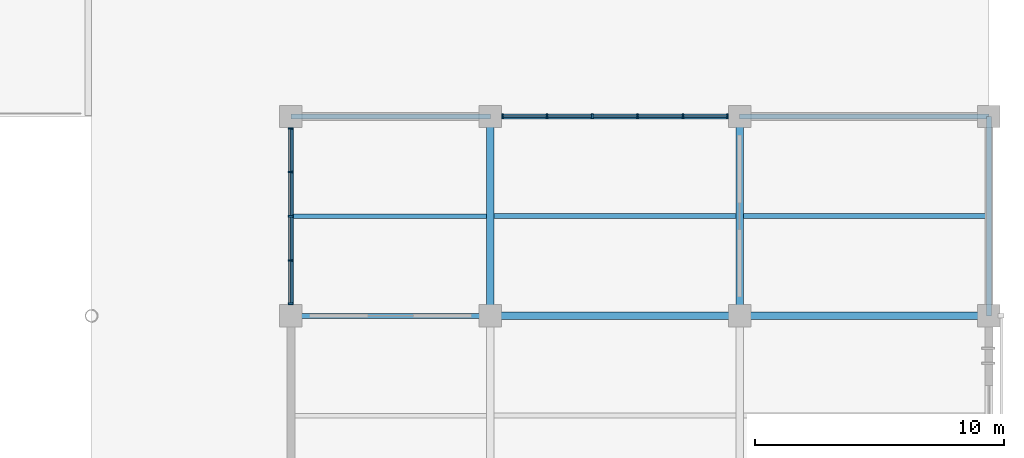
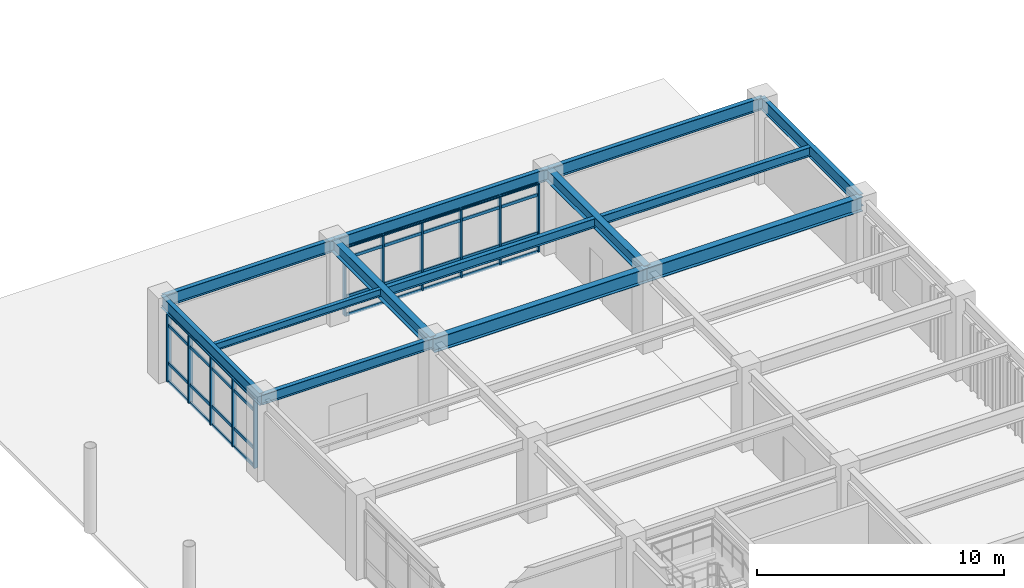
# One storey, part 63 of 118: 47 members, 13 beams, 2 elements without a shape of their own.
"""IFC4 building model written with IfcOpenShell, lengths in metres."""

from ifc_helpers import new_model, si_unit, direction, frame, origin, origin_2d, place, context, subcontext, project, spatial, rectangle, i_section, extrude, material, layer, layer_set, material_profile, profile_set, type_object, element, aggregate, save


model = new_model("IFC4")

# Units and contexts
model_context = context("Model", 3, precision=1e-05, world=origin(), true_north=direction((0.0, 1.0)))
body_context = subcontext(model_context, "Body", "Model", "MODEL_VIEW")
ifc_project = project(units=[si_unit("LENGTHUNIT", "METRE"), si_unit("AREAUNIT", "SQUARE_METRE"), si_unit("VOLUMEUNIT", "CUBIC_METRE"), si_unit("PLANEANGLEUNIT", "RADIAN"), si_unit("MASSUNIT", "GRAM", prefix="KILO")], contexts=[model_context])

# Site, building, storey
site_placement = place(None, origin())
site = spatial("IfcSite", under=ifc_project, at=site_placement, CompositionType="ELEMENT")
building_placement = place(site_placement, origin())
building = spatial("IfcBuilding", under=site, at=building_placement, Name="Haebicheon Civic Stadium", CompositionType="ELEMENT")
storey_placement = place(building_placement, frame((0.0, 0.0, 14.39990234375)))
storey = spatial("IfcBuildingStorey", under=building, at=storey_placement, Name="L04", CompositionType="ELEMENT", Elevation=14.39990234375)

# Beams
ifc_material_1 = material(Name="Steel SM355 (S355)", Category="steel")
ifc_material_profile_1 = material_profile(ifc_material_1, i_section(OverallWidth=0.199951171875, OverallDepth=0.5, WebThickness=0.010009765625, FlangeThickness=0.01611328125, at=origin_2d()), Name="H-500x200x10x16")
ifc_profile_set_1 = profile_set([ifc_material_profile_1], Name="Steel SM355 (S355)")
beam_type_1 = type_object("IfcBeamType", Name="BM-ST-H500", PredefinedType="BEAM", material=ifc_profile_set_1)
beam_1_placement = place(storey_placement, frame((208.0, 128.0, 3.690185546875), z_axis=(1.0, 0.0, 0.0), x_axis=(0.0, 1.0, 0.0)))
element("IfcBeam", 1, at=beam_1_placement, inside=storey, type_object=beam_type_1, material=ifc_profile_set_1, Name="L04 beam S/27-28", PredefinedType="BEAM", context=body_context, shape_type="SweptSolid", body=[
    extrude(i_section(OverallWidth=0.199951171875, OverallDepth=0.5, WebThickness=0.010009765625, FlangeThickness=0.01611328125, at=origin_2d()), origin(), (0.0, 0.0, 1.0), 8.0),
])
ifc_material_2 = material(Name="Steel SM355 (S355)", Category="steel")
ifc_material_profile_2 = material_profile(ifc_material_2, i_section(OverallWidth=0.300048828125, OverallDepth=0.60009765625, WebThickness=0.011962890625, FlangeThickness=0.02001953125, at=origin_2d()), Name="H-600x300x12x20")
ifc_profile_set_2 = profile_set([ifc_material_profile_2], Name="Steel SM355 (S355)")
beam_type_2 = type_object("IfcBeamType", Name="BM-ST-H600A", PredefinedType="BEAM", material=ifc_profile_set_2)
for number, where, z_axis, x_axis, name in (
    (2, (216.0, 128.0, 3.68017578125), (0.0, 1.0, 0.0), (-1.0, 0.0, 0.0), "L04 girder 28/S-T"),
    (3, (226.0, 128.0, 3.68017578125), (0.0, 1.0, 0.0), (-1.0, 0.0, 0.0), "L04 girder 29/S-T"),
):
    element("IfcBeam", number, at=place(storey_placement, frame(where, z_axis=z_axis, x_axis=x_axis)), inside=storey, type_object=beam_type_2, material=ifc_profile_set_2, Name=name, PredefinedType="BEAM", context=body_context, shape_type="SweptSolid", body=[
        extrude(i_section(OverallWidth=0.300048828125, OverallDepth=0.60009765625, WebThickness=0.011962890625, FlangeThickness=0.02001953125, at=origin_2d()), origin(), (0.0, 0.0, 1.0), 8.0),
    ])
ifc_material_3 = material(Name="Steel SM490", Category="steel")
ifc_material_profile_3 = material_profile(ifc_material_3, i_section(OverallWidth=0.300048828125, OverallDepth=0.699951171875, WebThickness=0.012939453125, FlangeThickness=0.02392578125, at=origin_2d()), Name="H-700x300x13x24")
ifc_profile_set_3 = profile_set([ifc_material_profile_3], Name="Steel SM490")
beam_type_3 = type_object("IfcBeamType", Name="BM-ST-H700", PredefinedType="BEAM", material=ifc_profile_set_3)
for number, where, z_axis, x_axis, name in (
    (4, (216.0, 128.0, 3.590087890625), (1.0, 0.0, 0.0), (0.0, 1.0, 0.0), "L04 beam S/28-29"),
    (5, (226.0, 128.0, 3.590087890625), (1.0, 0.0, 0.0), (0.0, 1.0, 0.0), "L04 beam S/29-30"),
):
    element("IfcBeam", number, at=place(storey_placement, frame(where, z_axis=z_axis, x_axis=x_axis)), inside=storey, type_object=beam_type_3, material=ifc_profile_set_3, Name=name, PredefinedType="BEAM", context=body_context, shape_type="SweptSolid", body=[
        extrude(i_section(OverallWidth=0.300048828125, OverallDepth=0.699951171875, WebThickness=0.012939453125, FlangeThickness=0.02392578125, at=origin_2d()), origin(), (0.0, 0.0, 1.0), 10.0),
    ])

# Curtain wall, members
ifc_material_4 = material(Name="Anodised aluminium and laminated glass", Category="aluminium")
ifc_layer_1 = layer(ifc_material_4, 0.179931640625, Name="Anodised aluminium and laminated glass")
ifc_layer_set_1 = layer_set([ifc_layer_1], Name="Anodised aluminium and laminated glass")
curtain_wall_type_1 = type_object("IfcCurtainWallType", Name="CW-7100x3330", PredefinedType="NOTDEFINED", material=ifc_layer_set_1)
curtain_wall_1_placement = place(storey_placement, origin())
curtain_wall_1 = element("IfcCurtainWall", 6, at=curtain_wall_1_placement, inside=storey, type_object=curtain_wall_type_1, material=ifc_layer_set_1, Name="L04 unitised curtain wall 174", PredefinedType="NOTDEFINED")
ifc_material_5 = material(Name="Anodised aluminium 6063-T6", Category="aluminium")
ifc_material_profile_4 = material_profile(ifc_material_5, rectangle(XDim=0.070068359375, YDim=0.199951171875, at=origin_2d()), Name="ALU-MULL-70x200")
ifc_profile_set_4 = profile_set([ifc_material_profile_4], Name="Anodised aluminium 6063-T6")
member_type_1 = type_object("IfcMemberType", Name="CWM-200x70", PredefinedType="MULLION", material=ifc_profile_set_4)
member_1_placement = place(storey_placement, frame((208.0, 128.485107421875, 0.0), z_axis=(0.0, 0.0, 1.0), x_axis=(0.0, 1.0, 0.0)))
member_1 = element("IfcMember", 7, at=member_1_placement, type_object=member_type_1, material=ifc_profile_set_4, Name="CW-L04-174 vertical mullion 1", PredefinedType="MULLION", context=body_context, shape_type="SweptSolid", body=[
    extrude(rectangle(XDim=0.070068359375, YDim=0.199951171875, at=origin_2d()), origin(), (0.0, 0.0, 1.0), 3.330078125),
])
member_2_placement = place(storey_placement, frame((208.0, 130.22509765625, 0.0), z_axis=(0.0, 0.0, 1.0), x_axis=(0.0, 1.0, 0.0)))
member_2 = element("IfcMember", 8, at=member_2_placement, type_object=member_type_1, material=ifc_profile_set_4, Name="CW-L04-174 vertical mullion 2", PredefinedType="MULLION", context=body_context, shape_type="SweptSolid", body=[
    extrude(rectangle(XDim=0.070068359375, YDim=0.199951171875, at=origin_2d()), origin(), (0.0, 0.0, 1.0), 3.330078125),
])
member_3_placement = place(storey_placement, frame((208.0, 132.0, 0.0), z_axis=(0.0, 0.0, 1.0), x_axis=(0.0, 1.0, 0.0)))
member_3 = element("IfcMember", 9, at=member_3_placement, type_object=member_type_1, material=ifc_profile_set_4, Name="CW-L04-174 vertical mullion 3", PredefinedType="MULLION", context=body_context, shape_type="SweptSolid", body=[
    extrude(rectangle(XDim=0.070068359375, YDim=0.199951171875, at=origin_2d()), origin(), (0.0, 0.0, 1.0), 3.330078125),
])
member_4_placement = place(storey_placement, frame((208.0, 133.77490234375, 0.0), z_axis=(0.0, 0.0, 1.0), x_axis=(0.0, 1.0, 0.0)))
member_4 = element("IfcMember", 10, at=member_4_placement, type_object=member_type_1, material=ifc_profile_set_4, Name="CW-L04-174 vertical mullion 4", PredefinedType="MULLION", context=body_context, shape_type="SweptSolid", body=[
    extrude(rectangle(XDim=0.070068359375, YDim=0.199951171875, at=origin_2d()), origin(), (0.0, 0.0, 1.0), 3.330078125),
])
member_5_placement = place(storey_placement, frame((208.0, 135.514892578125, 0.0), z_axis=(0.0, 0.0, 1.0), x_axis=(0.0, 1.0, 0.0)))
member_5 = element("IfcMember", 11, at=member_5_placement, type_object=member_type_1, material=ifc_profile_set_4, Name="CW-L04-174 vertical mullion 5", PredefinedType="MULLION", context=body_context, shape_type="SweptSolid", body=[
    extrude(rectangle(XDim=0.070068359375, YDim=0.199951171875, at=origin_2d()), origin(), (0.0, 0.0, 1.0), 3.330078125),
])

ifc_material_6 = material(Name="Anodised aluminium and laminated glass", Category="aluminium")
ifc_layer_2 = layer(ifc_material_6, 0.179931640625, Name="Anodised aluminium and laminated glass")
ifc_layer_set_2 = layer_set([ifc_layer_2], Name="Anodised aluminium and laminated glass")
curtain_wall_type_2 = type_object("IfcCurtainWallType", Name="CW-9100x3350", PredefinedType="NOTDEFINED", material=ifc_layer_set_2)
curtain_wall_2_placement = place(storey_placement, origin())
curtain_wall_2 = element("IfcCurtainWall", 12, at=curtain_wall_2_placement, inside=storey, type_object=curtain_wall_type_2, material=ifc_layer_set_2, Name="L04 unitised curtain wall 176", PredefinedType="NOTDEFINED")
member_6_placement = place(storey_placement, frame((216.485107421875, 136.0, 0.0), z_axis=(0.0, 0.0, 1.0), x_axis=(1.0, 0.0, 0.0)))
member_6 = element("IfcMember", 13, at=member_6_placement, type_object=member_type_1, material=ifc_profile_set_4, Name="CW-L04-176 vertical mullion 1", PredefinedType="MULLION", context=body_context, shape_type="SweptSolid", body=[
    extrude(rectangle(XDim=0.070068359375, YDim=0.199951171875, at=origin_2d()), origin(), (0.0, 0.0, 1.0), 3.35009765625),
])
member_7_placement = place(storey_placement, frame((218.27001953125, 136.0, 0.0), z_axis=(0.0, 0.0, 1.0), x_axis=(1.0, 0.0, 0.0)))
member_7 = element("IfcMember", 14, at=member_7_placement, type_object=member_type_1, material=ifc_profile_set_4, Name="CW-L04-176 vertical mullion 2", PredefinedType="MULLION", context=body_context, shape_type="SweptSolid", body=[
    extrude(rectangle(XDim=0.070068359375, YDim=0.199951171875, at=origin_2d()), origin(), (0.0, 0.0, 1.0), 3.35009765625),
])
member_8_placement = place(storey_placement, frame((220.090087890625, 136.0, 0.0), z_axis=(0.0, 0.0, 1.0), x_axis=(1.0, 0.0, 0.0)))
member_8 = element("IfcMember", 15, at=member_8_placement, type_object=member_type_1, material=ifc_profile_set_4, Name="CW-L04-176 vertical mullion 3", PredefinedType="MULLION", context=body_context, shape_type="SweptSolid", body=[
    extrude(rectangle(XDim=0.070068359375, YDim=0.199951171875, at=origin_2d()), origin(), (0.0, 0.0, 1.0), 3.35009765625),
])
member_9_placement = place(storey_placement, frame((221.909912109375, 136.0, 0.0), z_axis=(0.0, 0.0, 1.0), x_axis=(1.0, 0.0, 0.0)))
member_9 = element("IfcMember", 16, at=member_9_placement, type_object=member_type_1, material=ifc_profile_set_4, Name="CW-L04-176 vertical mullion 4", PredefinedType="MULLION", context=body_context, shape_type="SweptSolid", body=[
    extrude(rectangle(XDim=0.070068359375, YDim=0.199951171875, at=origin_2d()), origin(), (0.0, 0.0, 1.0), 3.35009765625),
])
member_10_placement = place(storey_placement, frame((223.72998046875, 136.0, 0.0), z_axis=(0.0, 0.0, 1.0), x_axis=(1.0, 0.0, 0.0)))
member_10 = element("IfcMember", 17, at=member_10_placement, type_object=member_type_1, material=ifc_profile_set_4, Name="CW-L04-176 vertical mullion 5", PredefinedType="MULLION", context=body_context, shape_type="SweptSolid", body=[
    extrude(rectangle(XDim=0.070068359375, YDim=0.199951171875, at=origin_2d()), origin(), (0.0, 0.0, 1.0), 3.35009765625),
])
member_11_placement = place(storey_placement, frame((225.514892578125, 136.0, 0.0), z_axis=(0.0, 0.0, 1.0), x_axis=(1.0, 0.0, 0.0)))
member_11 = element("IfcMember", 18, at=member_11_placement, type_object=member_type_1, material=ifc_profile_set_4, Name="CW-L04-176 vertical mullion 6", PredefinedType="MULLION", context=body_context, shape_type="SweptSolid", body=[
    extrude(rectangle(XDim=0.070068359375, YDim=0.199951171875, at=origin_2d()), origin(), (0.0, 0.0, 1.0), 3.35009765625),
])

# Member
ifc_material_7 = material(Name="Anodised aluminium 6063-T6", Category="aluminium")
ifc_material_profile_5 = material_profile(ifc_material_7, rectangle(XDim=0.070068359375, YDim=0.14990234375, at=origin_2d()), Name="ALU-TRAN-70x150")
ifc_profile_set_5 = profile_set([ifc_material_profile_5], Name="Anodised aluminium 6063-T6")
member_type_2 = type_object("IfcMemberType", Name="CWT-150x70", PredefinedType="NOTDEFINED", material=ifc_profile_set_5)
member_12_placement = place(storey_placement, frame((208.0, 128.52001953125, 0.0), z_axis=(0.0, 1.0, 0.0), x_axis=(-1.0, 0.0, 0.0)))
member_12 = element("IfcMember", 19, at=member_12_placement, type_object=member_type_2, material=ifc_profile_set_5, Name="CW-L04-174 horizontal transom 1.1", ObjectType="TRANSOM", PredefinedType="USERDEFINED", context=body_context, shape_type="SweptSolid", body=[
    extrude(rectangle(XDim=0.070068359375, YDim=0.14990234375, at=origin_2d()), origin(), (0.0, 0.0, 1.0), 1.669921875),
])

member_13_placement = place(storey_placement, frame((208.0, 128.52001953125, 0.900146484375), z_axis=(0.0, 1.0, 0.0), x_axis=(-1.0, 0.0, 0.0)))
member_13 = element("IfcMember", 20, at=member_13_placement, type_object=member_type_2, material=ifc_profile_set_5, Name="CW-L04-174 horizontal transom 1.2", ObjectType="TRANSOM", PredefinedType="USERDEFINED", context=body_context, shape_type="SweptSolid", body=[
    extrude(rectangle(XDim=0.070068359375, YDim=0.14990234375, at=origin_2d()), origin(), (0.0, 0.0, 1.0), 1.669921875),
])

member_14_placement = place(storey_placement, frame((208.0, 128.52001953125, 2.780029296875), z_axis=(0.0, 1.0, 0.0), x_axis=(-1.0, 0.0, 0.0)))
member_14 = element("IfcMember", 21, at=member_14_placement, type_object=member_type_2, material=ifc_profile_set_5, Name="CW-L04-174 horizontal transom 1.3", ObjectType="TRANSOM", PredefinedType="USERDEFINED", context=body_context, shape_type="SweptSolid", body=[
    extrude(rectangle(XDim=0.070068359375, YDim=0.14990234375, at=origin_2d()), origin(), (0.0, 0.0, 1.0), 1.669921875),
])

member_15_placement = place(storey_placement, frame((208.0, 128.52001953125, 3.330078125), z_axis=(0.0, 1.0, 0.0), x_axis=(-1.0, 0.0, 0.0)))
member_15 = element("IfcMember", 22, at=member_15_placement, type_object=member_type_2, material=ifc_profile_set_5, Name="CW-L04-174 horizontal transom 1.4", ObjectType="TRANSOM", PredefinedType="USERDEFINED", context=body_context, shape_type="SweptSolid", body=[
    extrude(rectangle(XDim=0.070068359375, YDim=0.14990234375, at=origin_2d()), origin(), (0.0, 0.0, 1.0), 1.669921875),
])

member_16_placement = place(storey_placement, frame((208.0, 130.260009765625, 0.0), z_axis=(0.0, 1.0, 0.0), x_axis=(-1.0, 0.0, 0.0)))
member_16 = element("IfcMember", 23, at=member_16_placement, type_object=member_type_2, material=ifc_profile_set_5, Name="CW-L04-174 horizontal transom 2.1", ObjectType="TRANSOM", PredefinedType="USERDEFINED", context=body_context, shape_type="SweptSolid", body=[
    extrude(rectangle(XDim=0.070068359375, YDim=0.14990234375, at=origin_2d()), origin(), (0.0, 0.0, 1.0), 1.705078125),
])

member_17_placement = place(storey_placement, frame((208.0, 130.260009765625, 0.900146484375), z_axis=(0.0, 1.0, 0.0), x_axis=(-1.0, 0.0, 0.0)))
member_17 = element("IfcMember", 24, at=member_17_placement, type_object=member_type_2, material=ifc_profile_set_5, Name="CW-L04-174 horizontal transom 2.2", ObjectType="TRANSOM", PredefinedType="USERDEFINED", context=body_context, shape_type="SweptSolid", body=[
    extrude(rectangle(XDim=0.070068359375, YDim=0.14990234375, at=origin_2d()), origin(), (0.0, 0.0, 1.0), 1.705078125),
])

member_18_placement = place(storey_placement, frame((208.0, 130.260009765625, 2.780029296875), z_axis=(0.0, 1.0, 0.0), x_axis=(-1.0, 0.0, 0.0)))
member_18 = element("IfcMember", 25, at=member_18_placement, type_object=member_type_2, material=ifc_profile_set_5, Name="CW-L04-174 horizontal transom 2.3", ObjectType="TRANSOM", PredefinedType="USERDEFINED", context=body_context, shape_type="SweptSolid", body=[
    extrude(rectangle(XDim=0.070068359375, YDim=0.14990234375, at=origin_2d()), origin(), (0.0, 0.0, 1.0), 1.705078125),
])

member_19_placement = place(storey_placement, frame((208.0, 130.260009765625, 3.330078125), z_axis=(0.0, 1.0, 0.0), x_axis=(-1.0, 0.0, 0.0)))
member_19 = element("IfcMember", 26, at=member_19_placement, type_object=member_type_2, material=ifc_profile_set_5, Name="CW-L04-174 horizontal transom 2.4", ObjectType="TRANSOM", PredefinedType="USERDEFINED", context=body_context, shape_type="SweptSolid", body=[
    extrude(rectangle(XDim=0.070068359375, YDim=0.14990234375, at=origin_2d()), origin(), (0.0, 0.0, 1.0), 1.705078125),
])

member_20_placement = place(storey_placement, frame((208.0, 132.034912109375, 0.0), z_axis=(0.0, 1.0, 0.0), x_axis=(-1.0, 0.0, 0.0)))
member_20 = element("IfcMember", 27, at=member_20_placement, type_object=member_type_2, material=ifc_profile_set_5, Name="CW-L04-174 horizontal transom 3.1", ObjectType="TRANSOM", PredefinedType="USERDEFINED", context=body_context, shape_type="SweptSolid", body=[
    extrude(rectangle(XDim=0.070068359375, YDim=0.14990234375, at=origin_2d()), origin(), (0.0, 0.0, 1.0), 1.705078125),
])

member_21_placement = place(storey_placement, frame((208.0, 132.034912109375, 0.900146484375), z_axis=(0.0, 1.0, 0.0), x_axis=(-1.0, 0.0, 0.0)))
member_21 = element("IfcMember", 28, at=member_21_placement, type_object=member_type_2, material=ifc_profile_set_5, Name="CW-L04-174 horizontal transom 3.2", ObjectType="TRANSOM", PredefinedType="USERDEFINED", context=body_context, shape_type="SweptSolid", body=[
    extrude(rectangle(XDim=0.070068359375, YDim=0.14990234375, at=origin_2d()), origin(), (0.0, 0.0, 1.0), 1.705078125),
])

member_22_placement = place(storey_placement, frame((208.0, 132.034912109375, 2.780029296875), z_axis=(0.0, 1.0, 0.0), x_axis=(-1.0, 0.0, 0.0)))
member_22 = element("IfcMember", 29, at=member_22_placement, type_object=member_type_2, material=ifc_profile_set_5, Name="CW-L04-174 horizontal transom 3.3", ObjectType="TRANSOM", PredefinedType="USERDEFINED", context=body_context, shape_type="SweptSolid", body=[
    extrude(rectangle(XDim=0.070068359375, YDim=0.14990234375, at=origin_2d()), origin(), (0.0, 0.0, 1.0), 1.705078125),
])

member_23_placement = place(storey_placement, frame((208.0, 132.034912109375, 3.330078125), z_axis=(0.0, 1.0, 0.0), x_axis=(-1.0, 0.0, 0.0)))
member_23 = element("IfcMember", 30, at=member_23_placement, type_object=member_type_2, material=ifc_profile_set_5, Name="CW-L04-174 horizontal transom 3.4", ObjectType="TRANSOM", PredefinedType="USERDEFINED", context=body_context, shape_type="SweptSolid", body=[
    extrude(rectangle(XDim=0.070068359375, YDim=0.14990234375, at=origin_2d()), origin(), (0.0, 0.0, 1.0), 1.705078125),
])

member_24_placement = place(storey_placement, frame((208.0, 133.81005859375, 0.0), z_axis=(0.0, 1.0, 0.0), x_axis=(-1.0, 0.0, 0.0)))
member_24 = element("IfcMember", 31, at=member_24_placement, type_object=member_type_2, material=ifc_profile_set_5, Name="CW-L04-174 horizontal transom 4.1", ObjectType="TRANSOM", PredefinedType="USERDEFINED", context=body_context, shape_type="SweptSolid", body=[
    extrude(rectangle(XDim=0.070068359375, YDim=0.14990234375, at=origin_2d()), origin(), (0.0, 0.0, 1.0), 1.669921875),
])

member_25_placement = place(storey_placement, frame((208.0, 133.81005859375, 0.900146484375), z_axis=(0.0, 1.0, 0.0), x_axis=(-1.0, 0.0, 0.0)))
member_25 = element("IfcMember", 32, at=member_25_placement, type_object=member_type_2, material=ifc_profile_set_5, Name="CW-L04-174 horizontal transom 4.2", ObjectType="TRANSOM", PredefinedType="USERDEFINED", context=body_context, shape_type="SweptSolid", body=[
    extrude(rectangle(XDim=0.070068359375, YDim=0.14990234375, at=origin_2d()), origin(), (0.0, 0.0, 1.0), 1.669921875),
])

member_26_placement = place(storey_placement, frame((208.0, 133.81005859375, 2.780029296875), z_axis=(0.0, 1.0, 0.0), x_axis=(-1.0, 0.0, 0.0)))
member_26 = element("IfcMember", 33, at=member_26_placement, type_object=member_type_2, material=ifc_profile_set_5, Name="CW-L04-174 horizontal transom 4.3", ObjectType="TRANSOM", PredefinedType="USERDEFINED", context=body_context, shape_type="SweptSolid", body=[
    extrude(rectangle(XDim=0.070068359375, YDim=0.14990234375, at=origin_2d()), origin(), (0.0, 0.0, 1.0), 1.669921875),
])

member_27_placement = place(storey_placement, frame((208.0, 133.81005859375, 3.330078125), z_axis=(0.0, 1.0, 0.0), x_axis=(-1.0, 0.0, 0.0)))
member_27 = element("IfcMember", 34, at=member_27_placement, type_object=member_type_2, material=ifc_profile_set_5, Name="CW-L04-174 horizontal transom 4.4", ObjectType="TRANSOM", PredefinedType="USERDEFINED", context=body_context, shape_type="SweptSolid", body=[
    extrude(rectangle(XDim=0.070068359375, YDim=0.14990234375, at=origin_2d()), origin(), (0.0, 0.0, 1.0), 1.669921875),
])

aggregate(curtain_wall_1, [member_1, member_2, member_3, member_4, member_5, member_12, member_13, member_14, member_15, member_16, member_17, member_18, member_19, member_20, member_21, member_22, member_23, member_24, member_25, member_26, member_27])

member_28_placement = place(storey_placement, frame((216.52001953125, 136.0, 0.0), z_axis=(1.0, 0.0, 0.0), x_axis=(0.0, 1.0, 0.0)))
member_28 = element("IfcMember", 35, at=member_28_placement, type_object=member_type_2, material=ifc_profile_set_5, Name="CW-L04-176 horizontal transom 1.1", ObjectType="TRANSOM", PredefinedType="USERDEFINED", context=body_context, shape_type="SweptSolid", body=[
    extrude(rectangle(XDim=0.070068359375, YDim=0.14990234375, at=origin_2d()), origin(), (0.0, 0.0, 1.0), 1.715087890625),
])

member_29_placement = place(storey_placement, frame((216.52001953125, 136.0, 0.900146484375), z_axis=(1.0, 0.0, 0.0), x_axis=(0.0, 1.0, 0.0)))
member_29 = element("IfcMember", 36, at=member_29_placement, type_object=member_type_2, material=ifc_profile_set_5, Name="CW-L04-176 horizontal transom 1.2", ObjectType="TRANSOM", PredefinedType="USERDEFINED", context=body_context, shape_type="SweptSolid", body=[
    extrude(rectangle(XDim=0.070068359375, YDim=0.14990234375, at=origin_2d()), origin(), (0.0, 0.0, 1.0), 1.715087890625),
])

member_30_placement = place(storey_placement, frame((216.52001953125, 136.0, 2.800048828125), z_axis=(1.0, 0.0, 0.0), x_axis=(0.0, 1.0, 0.0)))
member_30 = element("IfcMember", 37, at=member_30_placement, type_object=member_type_2, material=ifc_profile_set_5, Name="CW-L04-176 horizontal transom 1.3", ObjectType="TRANSOM", PredefinedType="USERDEFINED", context=body_context, shape_type="SweptSolid", body=[
    extrude(rectangle(XDim=0.070068359375, YDim=0.14990234375, at=origin_2d()), origin(), (0.0, 0.0, 1.0), 1.715087890625),
])

member_31_placement = place(storey_placement, frame((216.52001953125, 136.0, 3.35009765625), z_axis=(1.0, 0.0, 0.0), x_axis=(0.0, 1.0, 0.0)))
member_31 = element("IfcMember", 38, at=member_31_placement, type_object=member_type_2, material=ifc_profile_set_5, Name="CW-L04-176 horizontal transom 1.4", ObjectType="TRANSOM", PredefinedType="USERDEFINED", context=body_context, shape_type="SweptSolid", body=[
    extrude(rectangle(XDim=0.070068359375, YDim=0.14990234375, at=origin_2d()), origin(), (0.0, 0.0, 1.0), 1.715087890625),
])

member_32_placement = place(storey_placement, frame((218.304931640625, 136.0, 0.0), z_axis=(1.0, 0.0, 0.0), x_axis=(0.0, 1.0, 0.0)))
member_32 = element("IfcMember", 39, at=member_32_placement, type_object=member_type_2, material=ifc_profile_set_5, Name="CW-L04-176 horizontal transom 2.1", ObjectType="TRANSOM", PredefinedType="USERDEFINED", context=body_context, shape_type="SweptSolid", body=[
    extrude(rectangle(XDim=0.070068359375, YDim=0.14990234375, at=origin_2d()), origin(), (0.0, 0.0, 1.0), 1.75),
])

member_33_placement = place(storey_placement, frame((218.304931640625, 136.0, 0.900146484375), z_axis=(1.0, 0.0, 0.0), x_axis=(0.0, 1.0, 0.0)))
member_33 = element("IfcMember", 40, at=member_33_placement, type_object=member_type_2, material=ifc_profile_set_5, Name="CW-L04-176 horizontal transom 2.2", ObjectType="TRANSOM", PredefinedType="USERDEFINED", context=body_context, shape_type="SweptSolid", body=[
    extrude(rectangle(XDim=0.070068359375, YDim=0.14990234375, at=origin_2d()), origin(), (0.0, 0.0, 1.0), 1.75),
])

member_34_placement = place(storey_placement, frame((218.304931640625, 136.0, 2.800048828125), z_axis=(1.0, 0.0, 0.0), x_axis=(0.0, 1.0, 0.0)))
member_34 = element("IfcMember", 41, at=member_34_placement, type_object=member_type_2, material=ifc_profile_set_5, Name="CW-L04-176 horizontal transom 2.3", ObjectType="TRANSOM", PredefinedType="USERDEFINED", context=body_context, shape_type="SweptSolid", body=[
    extrude(rectangle(XDim=0.070068359375, YDim=0.14990234375, at=origin_2d()), origin(), (0.0, 0.0, 1.0), 1.75),
])

member_35_placement = place(storey_placement, frame((218.304931640625, 136.0, 3.35009765625), z_axis=(1.0, 0.0, 0.0), x_axis=(0.0, 1.0, 0.0)))
member_35 = element("IfcMember", 42, at=member_35_placement, type_object=member_type_2, material=ifc_profile_set_5, Name="CW-L04-176 horizontal transom 2.4", ObjectType="TRANSOM", PredefinedType="USERDEFINED", context=body_context, shape_type="SweptSolid", body=[
    extrude(rectangle(XDim=0.070068359375, YDim=0.14990234375, at=origin_2d()), origin(), (0.0, 0.0, 1.0), 1.75),
])

member_36_placement = place(storey_placement, frame((220.125, 136.0, 0.0), z_axis=(1.0, 0.0, 0.0), x_axis=(0.0, 1.0, 0.0)))
member_36 = element("IfcMember", 43, at=member_36_placement, type_object=member_type_2, material=ifc_profile_set_5, Name="CW-L04-176 horizontal transom 3.1", ObjectType="TRANSOM", PredefinedType="USERDEFINED", context=body_context, shape_type="SweptSolid", body=[
    extrude(rectangle(XDim=0.070068359375, YDim=0.14990234375, at=origin_2d()), origin(), (0.0, 0.0, 1.0), 1.75),
])

member_37_placement = place(storey_placement, frame((220.125, 136.0, 0.900146484375), z_axis=(1.0, 0.0, 0.0), x_axis=(0.0, 1.0, 0.0)))
member_37 = element("IfcMember", 44, at=member_37_placement, type_object=member_type_2, material=ifc_profile_set_5, Name="CW-L04-176 horizontal transom 3.2", ObjectType="TRANSOM", PredefinedType="USERDEFINED", context=body_context, shape_type="SweptSolid", body=[
    extrude(rectangle(XDim=0.070068359375, YDim=0.14990234375, at=origin_2d()), origin(), (0.0, 0.0, 1.0), 1.75),
])

member_38_placement = place(storey_placement, frame((220.125, 136.0, 2.800048828125), z_axis=(1.0, 0.0, 0.0), x_axis=(0.0, 1.0, 0.0)))
member_38 = element("IfcMember", 45, at=member_38_placement, type_object=member_type_2, material=ifc_profile_set_5, Name="CW-L04-176 horizontal transom 3.3", ObjectType="TRANSOM", PredefinedType="USERDEFINED", context=body_context, shape_type="SweptSolid", body=[
    extrude(rectangle(XDim=0.070068359375, YDim=0.14990234375, at=origin_2d()), origin(), (0.0, 0.0, 1.0), 1.75),
])

member_39_placement = place(storey_placement, frame((220.125, 136.0, 3.35009765625), z_axis=(1.0, 0.0, 0.0), x_axis=(0.0, 1.0, 0.0)))
member_39 = element("IfcMember", 46, at=member_39_placement, type_object=member_type_2, material=ifc_profile_set_5, Name="CW-L04-176 horizontal transom 3.4", ObjectType="TRANSOM", PredefinedType="USERDEFINED", context=body_context, shape_type="SweptSolid", body=[
    extrude(rectangle(XDim=0.070068359375, YDim=0.14990234375, at=origin_2d()), origin(), (0.0, 0.0, 1.0), 1.75),
])

member_40_placement = place(storey_placement, frame((221.945068359375, 136.0, 0.0), z_axis=(1.0, 0.0, 0.0), x_axis=(0.0, 1.0, 0.0)))
member_40 = element("IfcMember", 47, at=member_40_placement, type_object=member_type_2, material=ifc_profile_set_5, Name="CW-L04-176 horizontal transom 4.1", ObjectType="TRANSOM", PredefinedType="USERDEFINED", context=body_context, shape_type="SweptSolid", body=[
    extrude(rectangle(XDim=0.070068359375, YDim=0.14990234375, at=origin_2d()), origin(), (0.0, 0.0, 1.0), 1.75),
])

member_41_placement = place(storey_placement, frame((221.945068359375, 136.0, 0.900146484375), z_axis=(1.0, 0.0, 0.0), x_axis=(0.0, 1.0, 0.0)))
member_41 = element("IfcMember", 48, at=member_41_placement, type_object=member_type_2, material=ifc_profile_set_5, Name="CW-L04-176 horizontal transom 4.2", ObjectType="TRANSOM", PredefinedType="USERDEFINED", context=body_context, shape_type="SweptSolid", body=[
    extrude(rectangle(XDim=0.070068359375, YDim=0.14990234375, at=origin_2d()), origin(), (0.0, 0.0, 1.0), 1.75),
])

member_42_placement = place(storey_placement, frame((221.945068359375, 136.0, 2.800048828125), z_axis=(1.0, 0.0, 0.0), x_axis=(0.0, 1.0, 0.0)))
member_42 = element("IfcMember", 49, at=member_42_placement, type_object=member_type_2, material=ifc_profile_set_5, Name="CW-L04-176 horizontal transom 4.3", ObjectType="TRANSOM", PredefinedType="USERDEFINED", context=body_context, shape_type="SweptSolid", body=[
    extrude(rectangle(XDim=0.070068359375, YDim=0.14990234375, at=origin_2d()), origin(), (0.0, 0.0, 1.0), 1.75),
])

member_43_placement = place(storey_placement, frame((221.945068359375, 136.0, 3.35009765625), z_axis=(1.0, 0.0, 0.0), x_axis=(0.0, 1.0, 0.0)))
member_43 = element("IfcMember", 50, at=member_43_placement, type_object=member_type_2, material=ifc_profile_set_5, Name="CW-L04-176 horizontal transom 4.4", ObjectType="TRANSOM", PredefinedType="USERDEFINED", context=body_context, shape_type="SweptSolid", body=[
    extrude(rectangle(XDim=0.070068359375, YDim=0.14990234375, at=origin_2d()), origin(), (0.0, 0.0, 1.0), 1.75),
])

member_44_placement = place(storey_placement, frame((223.764892578125, 136.0, 0.0), z_axis=(1.0, 0.0, 0.0), x_axis=(0.0, 1.0, 0.0)))
member_44 = element("IfcMember", 51, at=member_44_placement, type_object=member_type_2, material=ifc_profile_set_5, Name="CW-L04-176 horizontal transom 5.1", ObjectType="TRANSOM", PredefinedType="USERDEFINED", context=body_context, shape_type="SweptSolid", body=[
    extrude(rectangle(XDim=0.070068359375, YDim=0.14990234375, at=origin_2d()), origin(), (0.0, 0.0, 1.0), 1.715087890625),
])

member_45_placement = place(storey_placement, frame((223.764892578125, 136.0, 0.900146484375), z_axis=(1.0, 0.0, 0.0), x_axis=(0.0, 1.0, 0.0)))
member_45 = element("IfcMember", 52, at=member_45_placement, type_object=member_type_2, material=ifc_profile_set_5, Name="CW-L04-176 horizontal transom 5.2", ObjectType="TRANSOM", PredefinedType="USERDEFINED", context=body_context, shape_type="SweptSolid", body=[
    extrude(rectangle(XDim=0.070068359375, YDim=0.14990234375, at=origin_2d()), origin(), (0.0, 0.0, 1.0), 1.715087890625),
])

member_46_placement = place(storey_placement, frame((223.764892578125, 136.0, 2.800048828125), z_axis=(1.0, 0.0, 0.0), x_axis=(0.0, 1.0, 0.0)))
member_46 = element("IfcMember", 53, at=member_46_placement, type_object=member_type_2, material=ifc_profile_set_5, Name="CW-L04-176 horizontal transom 5.3", ObjectType="TRANSOM", PredefinedType="USERDEFINED", context=body_context, shape_type="SweptSolid", body=[
    extrude(rectangle(XDim=0.070068359375, YDim=0.14990234375, at=origin_2d()), origin(), (0.0, 0.0, 1.0), 1.715087890625),
])

member_47_placement = place(storey_placement, frame((223.764892578125, 136.0, 3.35009765625), z_axis=(1.0, 0.0, 0.0), x_axis=(0.0, 1.0, 0.0)))
member_47 = element("IfcMember", 54, at=member_47_placement, type_object=member_type_2, material=ifc_profile_set_5, Name="CW-L04-176 horizontal transom 5.4", ObjectType="TRANSOM", PredefinedType="USERDEFINED", context=body_context, shape_type="SweptSolid", body=[
    extrude(rectangle(XDim=0.070068359375, YDim=0.14990234375, at=origin_2d()), origin(), (0.0, 0.0, 1.0), 1.715087890625),
])

aggregate(curtain_wall_2, [member_6, member_7, member_8, member_9, member_10, member_11, member_28, member_29, member_30, member_31, member_32, member_33, member_34, member_35, member_36, member_37, member_38, member_39, member_40, member_41, member_42, member_43, member_44, member_45, member_46, member_47])

# Beams
ifc_material_8 = material(Name="Steel SM355 (S355)", Category="steel")
ifc_material_profile_6 = material_profile(ifc_material_8, i_section(OverallWidth=0.175048828125, OverallDepth=0.35009765625, WebThickness=0.007080078125, FlangeThickness=0.010986328125, at=origin_2d()), Name="H-350x175x7x11")
ifc_profile_set_6 = profile_set([ifc_material_profile_6], Name="Steel SM355 (S355)")
beam_type_4 = type_object("IfcBeamType", Name="JST-ST-H350", PredefinedType="JOIST", material=ifc_profile_set_6)
beam_2_placement = place(storey_placement, frame((208.10009765625, 132.0, 3.80517578125), z_axis=(1.0, 0.0, 0.0), x_axis=(0.0, 1.0, 0.0)))
element("IfcBeam", 55, at=beam_2_placement, inside=storey, type_object=beam_type_4, material=ifc_profile_set_6, Name="L04 secondary joist 26-16", PredefinedType="JOIST", context=body_context, shape_type="SweptSolid", body=[
    extrude(i_section(OverallWidth=0.175048828125, OverallDepth=0.35009765625, WebThickness=0.007080078125, FlangeThickness=0.010986328125, at=origin_2d()), origin(), (0.0, 0.0, 1.0), 7.75),
])
ifc_material_9 = material(Name="Steel SM355 (S355)", Category="steel")
ifc_material_profile_7 = material_profile(ifc_material_9, i_section(OverallWidth=0.199951171875, OverallDepth=0.449951171875, WebThickness=0.009033203125, FlangeThickness=0.013916015625, at=origin_2d()), Name="H-450x200x9x14")
ifc_profile_set_7 = profile_set([ifc_material_profile_7], Name="Steel SM355 (S355)")
beam_type_5 = type_object("IfcBeamType", Name="JST-ST-H450", PredefinedType="JOIST", material=ifc_profile_set_7)
beam_3_placement = place(storey_placement, frame((216.14990234375, 132.0, 3.755126953125), z_axis=(1.0, 0.0, 0.0), x_axis=(0.0, 1.0, 0.0)))
element("IfcBeam", 56, at=beam_3_placement, inside=storey, type_object=beam_type_5, material=ifc_profile_set_7, Name="L04 secondary joist 27-16", PredefinedType="JOIST", context=body_context, shape_type="SweptSolid", body=[
    extrude(i_section(OverallWidth=0.199951171875, OverallDepth=0.449951171875, WebThickness=0.009033203125, FlangeThickness=0.013916015625, at=origin_2d()), origin(), (0.0, 0.0, 1.0), 9.7001953125),
])
beam_4_placement = place(storey_placement, frame((226.14990234375, 132.0, 3.755126953125), z_axis=(1.0, 0.0, 0.0), x_axis=(0.0, 1.0, 0.0)))
element("IfcBeam", 57, at=beam_4_placement, inside=storey, type_object=beam_type_5, material=ifc_profile_set_7, Name="L04 secondary joist 28-16", PredefinedType="JOIST", context=body_context, shape_type="SweptSolid", body=[
    extrude(i_section(OverallWidth=0.199951171875, OverallDepth=0.449951171875, WebThickness=0.009033203125, FlangeThickness=0.013916015625, at=origin_2d()), origin(), (0.0, 0.0, 1.0), 9.75),
])
ifc_material_10 = material(Name="Steel SM355 (S355)", Category="steel")
ifc_material_profile_8 = material_profile(ifc_material_10, i_section(OverallWidth=0.199951171875, OverallDepth=0.60009765625, WebThickness=0.010986328125, FlangeThickness=0.01708984375, at=origin_2d()), Name="H-600x200x11x17")
ifc_profile_set_8 = profile_set([ifc_material_profile_8], Name="Steel SM355 (S355)")
beam_type_6 = type_object("IfcBeamType", Name="SPD-ST-H600B", PredefinedType="SPANDREL", material=ifc_profile_set_8)
for number, where, z_axis, x_axis, name in (
    (58, (208.0, 128.0, 3.68017578125), (0.0, 1.0, 0.0), (-1.0, 0.0, 0.0), "L04 girder 27/S-T"),
    (59, (236.0, 128.0, 3.68017578125), (0.0, 1.0, 0.0), (-1.0, 0.0, 0.0), "L04 girder 30/S-T"),
    (60, (208.0, 136.0, 3.68017578125), (1.0, 0.0, 0.0), (0.0, 1.0, 0.0), "L04 beam T/27-28"),
):
    element("IfcBeam", number, at=place(storey_placement, frame(where, z_axis=z_axis, x_axis=x_axis)), inside=storey, type_object=beam_type_6, material=ifc_profile_set_8, Name=name, PredefinedType="SPANDREL", context=body_context, shape_type="SweptSolid", body=[
        extrude(i_section(OverallWidth=0.199951171875, OverallDepth=0.60009765625, WebThickness=0.010986328125, FlangeThickness=0.01708984375, at=origin_2d()), origin(), (0.0, 0.0, 1.0), 8.0),
    ])
for number, where, z_axis, x_axis, name in (
    (61, (216.0, 136.0, 3.68017578125), (1.0, 0.0, 0.0), (0.0, 1.0, 0.0), "L04 beam T/28-29"),
    (62, (226.0, 136.0, 3.68017578125), (1.0, 0.0, 0.0), (0.0, 1.0, 0.0), "L04 beam T/29-30"),
):
    element("IfcBeam", number, at=place(storey_placement, frame(where, z_axis=z_axis, x_axis=x_axis)), inside=storey, type_object=beam_type_6, material=ifc_profile_set_8, Name=name, PredefinedType="SPANDREL", context=body_context, shape_type="SweptSolid", body=[
        extrude(i_section(OverallWidth=0.199951171875, OverallDepth=0.60009765625, WebThickness=0.010986328125, FlangeThickness=0.01708984375, at=origin_2d()), origin(), (0.0, 0.0, 1.0), 10.0),
    ])

save(model, "model.ifc")
